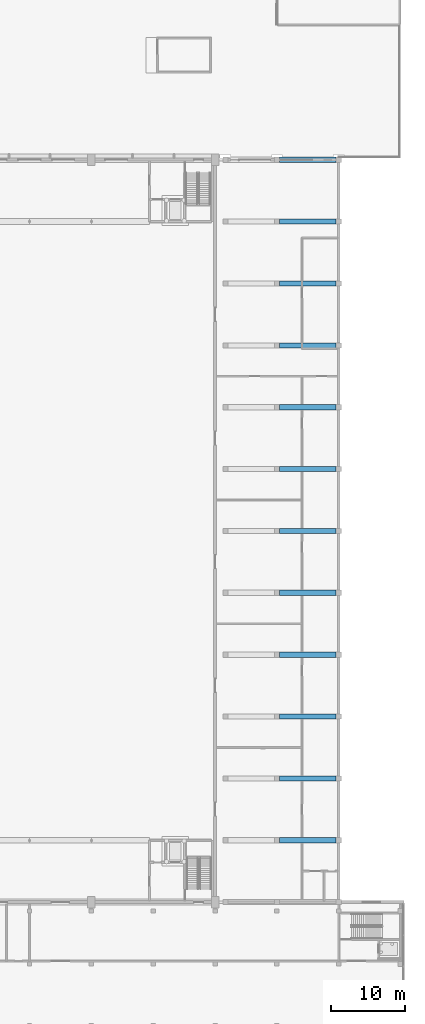
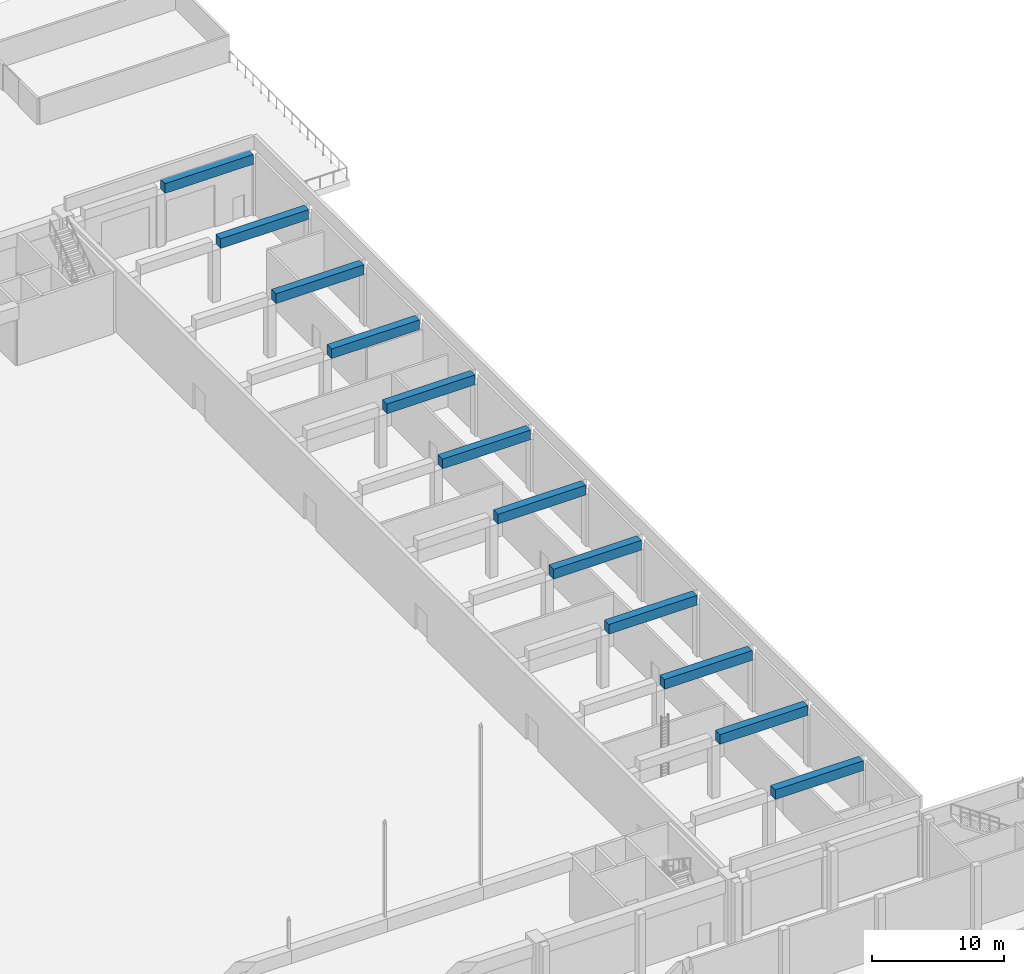
# One storey, part 73 of 210: 12 beams.
"""IFC4 building model written with IfcOpenShell, lengths in metres."""

import ifcopenshell
import ifcopenshell.guid

model = None  # the IFC model being written
_history = None  # IfcOwnerHistory: only IFC2X3 demands one
_inside = {}  # id of a spatial element -> (the spatial element, [elements in it])
_under = {}  # id of a project, library or spatial element -> (it, [spatial elements below it])
_declared = {}  # id of a project -> (the project, [libraries it declares])
_typed = {}  # id of a type object -> (the type object, [elements of that type])
_made_of = {}  # id of a material, layer set ... -> (it, [elements and type objects made of it])


def new_model(schema):
    """Start an empty IFC model of exactly this schema.

    Asked for "IFC4X3", IfcOpenShell would pick the latest addendum, in which some entities
    have other attributes; the version numbers below select the first issue.
    IFC2X3 requires an IfcOwnerHistory on every rooted entity: one is made here for all.
    """
    global model, _history
    if schema == "IFC4X3":
        model = ifcopenshell.file(schema_version=(4, 3, 0, 0))
    else:
        model = ifcopenshell.file(schema=schema)
    _inside.clear()
    _under.clear()
    _declared.clear()
    _typed.clear()
    _made_of.clear()
    _history = None
    if model.schema == "IFC2X3":
        org = make("IfcOrganization", Name="unknown")
        user = make(
            "IfcPersonAndOrganization",
            ThePerson=make("IfcPerson", FamilyName="unknown"),
            TheOrganization=org,
        )
        app = make(
            "IfcApplication",
            ApplicationDeveloper=org,
            Version="unknown",
            ApplicationFullName="unknown",
            ApplicationIdentifier="unknown",
        )
        _history = make(
            "IfcOwnerHistory",
            OwningUser=user,
            OwningApplication=app,
            ChangeAction="ADDED",
            CreationDate=0,
        )
    return model


def make(cls, **values):
    """One entity of the class cls with the attributes given. An attribute that is None is left unset."""
    return model.create_entity(
        cls, **{name: value for name, value in values.items() if value is not None}
    )


def rooted(cls, **values):
    """An entity with a GlobalId (a new one), such as an element, a storey or a relation."""
    return make(cls, GlobalId=ifcopenshell.guid.new(), OwnerHistory=_history, **values)


def si_unit(unit_type, name, prefix=None):
    """IfcSIUnit, for example si_unit("LENGTHUNIT", "METRE", prefix="MILLI")."""
    return make("IfcSIUnit", UnitType=unit_type, Prefix=prefix, Name=name)


def assignment(units):
    """IfcUnitAssignment: the units of a project."""
    return None if units is None else make("IfcUnitAssignment", Units=units)


def point(xyz):
    """IfcCartesianPoint."""
    return None if xyz is None else make("IfcCartesianPoint", Coordinates=xyz)


def direction(xyz):
    """IfcDirection."""
    return None if xyz is None else make("IfcDirection", DirectionRatios=xyz)


def frame(location, z_axis=None, x_axis=None):
    """IfcAxis2Placement3D, a coordinate frame: its origin and axes. An axis left out is left unset."""
    return make(
        "IfcAxis2Placement3D",
        Location=point(location),
        Axis=direction(z_axis),
        RefDirection=direction(x_axis),
    )


def frame_2d(location, x_axis=None):
    """IfcAxis2Placement2D, a coordinate frame in the plane: its origin and x axis."""
    return make(
        "IfcAxis2Placement2D", Location=point(location), RefDirection=direction(x_axis)
    )


def origin():
    """The frame at (0, 0, 0) with its axes left unset."""
    return frame((0.0, 0.0, 0.0))


def origin_2d():
    """The frame at (0, 0) in the plane with its x axis left unset."""
    return frame_2d((0.0, 0.0))


def place(relative_to, where):
    """IfcLocalPlacement: puts the frame where relative to a parent placement (None: the world)."""
    return make(
        "IfcLocalPlacement", PlacementRelTo=relative_to, RelativePlacement=where
    )


def context(
    kind, dimensions, precision=None, world=None, true_north=None, identifier=None
):
    """IfcGeometricRepresentationContext, for example the 3D "Model" context."""
    return make(
        "IfcGeometricRepresentationContext",
        ContextIdentifier=identifier,
        ContextType=kind,
        CoordinateSpaceDimension=dimensions,
        Precision=precision,
        WorldCoordinateSystem=world,
        TrueNorth=true_north,
    )


def subcontext(parent, identifier, kind, view, scale=None):
    """IfcGeometricRepresentationSubContext, for example "Body" below "Model"."""
    return make(
        "IfcGeometricRepresentationSubContext",
        ContextIdentifier=identifier,
        ContextType=kind,
        ParentContext=parent,
        TargetScale=scale,
        TargetView=view,
    )


def project(units=None, contexts=None):
    """IfcProject with its units and contexts."""
    return rooted(
        "IfcProject",
        Name="project",
        RepresentationContexts=contexts,
        UnitsInContext=assignment(units),
    )


def spatial(cls, under=None, at=None, **own):
    """A site, building, storey or space (cls), placed at a placement, below another one or the project."""
    s = rooted(cls, ObjectPlacement=at, **own)
    if under is not None:
        _under.setdefault(under.id(), (under, []))[1].append(s)
    return s


def profile(cls, at=None, kind="AREA", **sizes):
    """A parametric profile (cls). Its sizes go by their IFC names, for example OverallWidth=200.0."""
    return make(cls, ProfileType=kind, Position=at, **sizes)


def rectangle(**sizes):
    """IfcRectangleProfileDef."""
    return profile("IfcRectangleProfileDef", **sizes)


def extrude(swept, where, along, depth):
    """IfcExtrudedAreaSolid: the profile swept, set in the frame where, extruded along a direction by depth."""
    return make(
        "IfcExtrudedAreaSolid",
        SweptArea=swept,
        Position=where,
        ExtrudedDirection=direction(along),
        Depth=depth,
    )


def shape(context_of_items, identifier, shape_type, items):
    """IfcShapeRepresentation: the items that make up one representation, for example the "Body"."""
    return make(
        "IfcShapeRepresentation",
        ContextOfItems=context_of_items,
        RepresentationIdentifier=identifier,
        RepresentationType=shape_type,
        Items=items,
    )


def material(Name=None, Category=None):
    """IfcMaterial."""
    return make("IfcMaterial", Name=Name, Category=Category)


def material_profile(
    of_material, cross_section, Name=None, Category=None, Priority=None
):
    """IfcMaterialProfile: a cross section and its material."""
    return make(
        "IfcMaterialProfile",
        Name=Name,
        Material=of_material,
        Profile=cross_section,
        Priority=Priority,
        Category=Category,
    )


def profile_set(profiles, Name=None, composite=None):
    """IfcMaterialProfileSet."""
    return make(
        "IfcMaterialProfileSet",
        Name=Name,
        MaterialProfiles=profiles,
        CompositeProfile=composite,
    )


def made_of(thing, what):
    """Note that an element or type object is made of a material, layer set ...; save() writes the relation."""
    if what is not None:
        _made_of.setdefault(what.id(), (what, []))[1].append(thing)
    return thing


def type_object(cls, material=None, **own):
    """A type object (cls), such as IfcWallType, which elements share."""
    return made_of(rooted(cls, **own), material)


def element(
    cls,
    number,
    at=None,
    inside=None,
    cuts=None,
    type_object=None,
    material=None,
    context=None,
    identifier="Body",
    shape_type=None,
    held_by="IfcProductDefinitionShape",
    body=None,
    shapes=None,
    **own,
):
    """One element of the class cls, such as IfcWall. Its Tag is "e" and its number.

    at: its placement. inside: the storey or other place that contains it. cuts: it is an
    opening in that element (IfcRelVoidsElement). A single representation is given by context,
    identifier, shape_type and body (its items); several are given by shapes. held_by: the class
    of the entity that holds the representations. save() writes the other relations.
    """
    e = rooted(cls, Tag="e%d" % number, ObjectPlacement=at, **own)
    if body is not None:
        shapes = [shape(context, identifier, shape_type, body)]
    if shapes is not None:
        e.Representation = make(held_by, Representations=shapes)
    if inside is not None:
        _inside.setdefault(inside.id(), (inside, []))[1].append(e)
    if cuts is not None:
        rooted(
            "IfcRelVoidsElement", RelatingBuildingElement=cuts, RelatedOpeningElement=e
        )
    if type_object is not None:
        _typed.setdefault(type_object.id(), (type_object, []))[1].append(e)
    return made_of(e, material)


def aggregate(whole, parts):
    """IfcRelAggregates: a whole, such as a stair, and the parts it consists of."""
    return rooted("IfcRelAggregates", RelatingObject=whole, RelatedObjects=parts)


def save(model, path):
    """Write the relations noted so far, then the file.

    IfcRelAggregates (storeys below a building ...), IfcRelContainedInSpatialStructure (elements
    in a storey), IfcRelDefinesByType, IfcRelAssociatesMaterial and IfcRelDeclares: one each for
    every whole, place, type object, material and project.
    """
    for whole, parts in _under.values():
        aggregate(whole, parts)
    for where, things in _inside.values():
        rooted(
            "IfcRelContainedInSpatialStructure",
            RelatedElements=things,
            RelatingStructure=where,
        )
    for kind, things in _typed.values():
        rooted("IfcRelDefinesByType", RelatedObjects=things, RelatingType=kind)
    for what, things in _made_of.values():
        rooted("IfcRelAssociatesMaterial", RelatedObjects=things, RelatingMaterial=what)
    for by, libraries in _declared.values():
        rooted("IfcRelDeclares", RelatingContext=by, RelatedDefinitions=libraries)
    model.write(path)


model = new_model("IFC4")

# Units and contexts
model_context = context("Model", 3, precision=1e-05, world=origin(), true_north=direction((0.0, 1.0)))
body_context = subcontext(model_context, "Body", "Model", "MODEL_VIEW")
ifc_project = project(units=[si_unit("LENGTHUNIT", "METRE"), si_unit("AREAUNIT", "SQUARE_METRE"), si_unit("VOLUMEUNIT", "CUBIC_METRE"), si_unit("PLANEANGLEUNIT", "RADIAN"), si_unit("MASSUNIT", "GRAM", prefix="KILO")], contexts=[model_context])

# Site, building, storey
site_placement = place(None, origin())
site = spatial("IfcSite", under=ifc_project, at=site_placement, CompositionType="ELEMENT")
building_placement = place(site_placement, origin())
building = spatial("IfcBuilding", under=site, at=building_placement, Name="Rain Tree Exposition and Congress Centre", CompositionType="ELEMENT")
storey_placement = place(building_placement, origin())
storey = spatial("IfcBuildingStorey", under=building, at=storey_placement, Name="L00", CompositionType="ELEMENT", Elevation=0.0)

# Beams
ifc_material = material(Name="Precast concrete C50/60", Category="concrete")
ifc_material_profile = material_profile(ifc_material, rectangle(XDim=0.699951171875, YDim=0.89990234375, at=origin_2d()), Name="RC 700x900")
ifc_profile_set = profile_set([ifc_material_profile], Name="Precast concrete C50/60")
beam_type = type_object("IfcBeamType", Name="Precast beam 700x900", PredefinedType="BEAM", material=ifc_profile_set)
for number, where, z_axis, x_axis, name in (
    (1, (252.35009765625, 109.199951171875, 5.25), (1.0, 0.0, 0.0), (0.0, 1.0, 0.0), "Service roof beam 4"),
    (2, (252.35009765625, 117.60009765625, 5.25), (1.0, 0.0, 0.0), (0.0, 1.0, 0.0), "Service roof beam 6"),
    (3, (252.35009765625, 126.0, 5.25), (1.0, 0.0, 0.0), (0.0, 1.0, 0.0), "Service roof beam 8"),
    (4, (252.35009765625, 134.39990234375, 5.25), (1.0, 0.0, 0.0), (0.0, 1.0, 0.0), "Service roof beam 10"),
    (5, (252.35009765625, 142.800048828125, 5.25), (1.0, 0.0, 0.0), (0.0, 1.0, 0.0), "Service roof beam 12"),
    (6, (252.35009765625, 151.199951171875, 5.25), (1.0, 0.0, 0.0), (0.0, 1.0, 0.0), "Service roof beam 14"),
    (7, (252.35009765625, 159.60009765625, 5.25), (1.0, 0.0, 0.0), (0.0, 1.0, 0.0), "Service roof beam 16"),
    (8, (252.35009765625, 168.0, 5.25), (1.0, 0.0, 0.0), (0.0, 1.0, 0.0), "Service roof beam 18"),
    (9, (252.35009765625, 176.39990234375, 5.25), (1.0, 0.0, 0.0), (0.0, 1.0, 0.0), "Service roof beam 20"),
    (10, (252.35009765625, 184.800048828125, 5.25), (1.0, 0.0, 0.0), (0.0, 1.0, 0.0), "Service roof beam 22"),
    (11, (252.35009765625, 193.199951171875, 5.25), (1.0, 0.0, 0.0), (0.0, 1.0, 0.0), "Service roof beam 24"),
    (12, (252.35009765625, 201.60009765625, 5.25), (1.0, 0.0, 0.0), (0.0, 1.0, 0.0), "Service roof beam 26"),
):
    element("IfcBeam", number, at=place(storey_placement, frame(where, z_axis=z_axis, x_axis=x_axis)), inside=storey, type_object=beam_type, Name=name, PredefinedType="BEAM", context=body_context, shape_type="SweptSolid", body=[
        extrude(rectangle(XDim=0.699951171875, YDim=0.89990234375, at=origin_2d()), origin(), (0.0, 0.0, 1.0), 7.699951171875),
    ])

save(model, "model.ifc")
